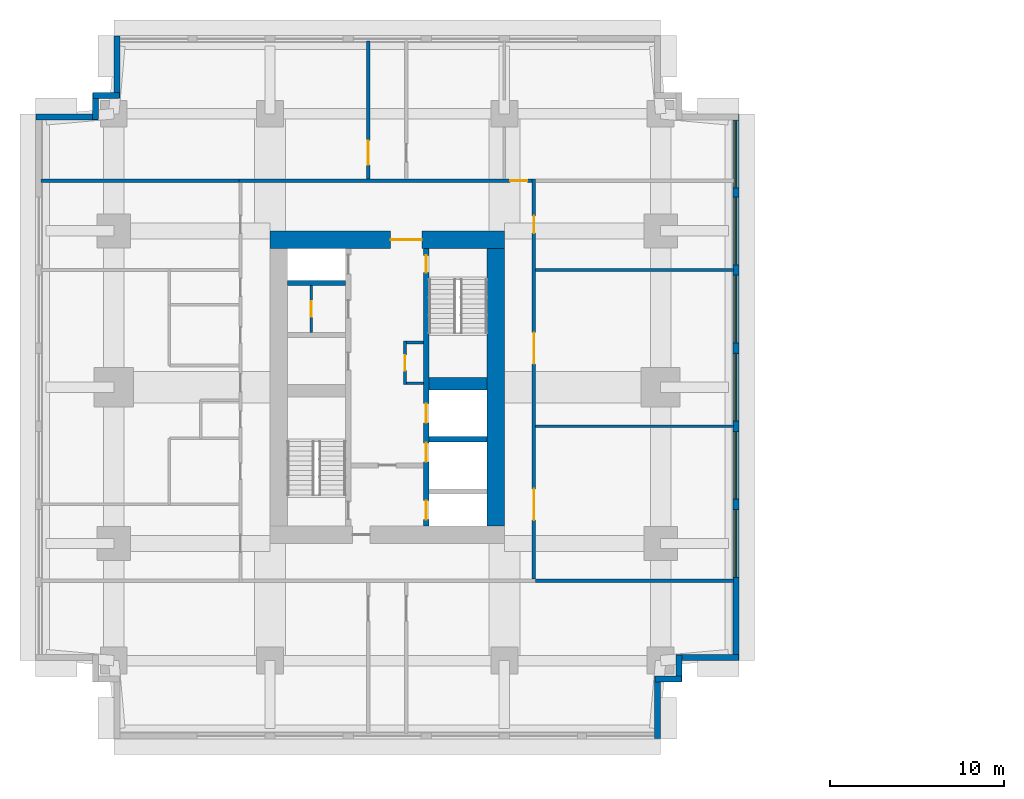
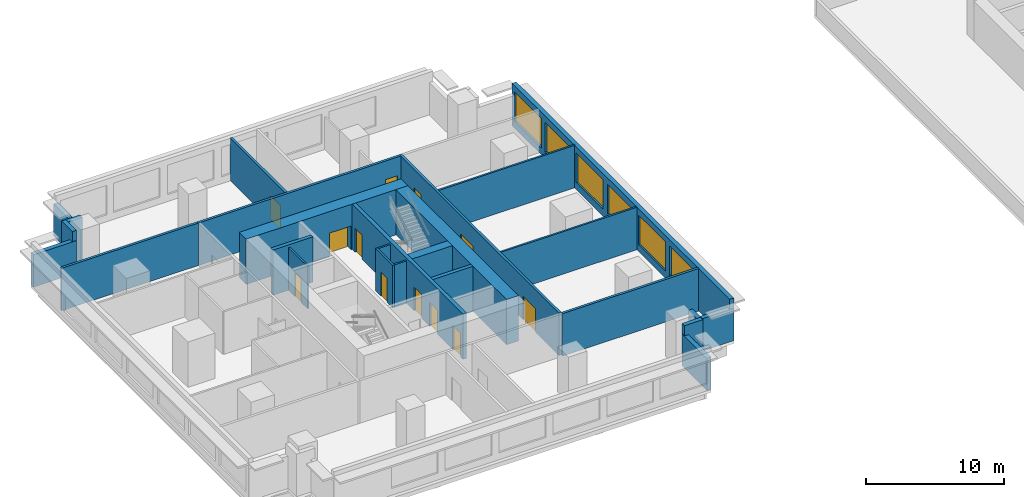
# One storey, part 4 of 7: 26 walls, 12 doors, 6 windows, 18 openings.
"""IFC4 building model written with IfcOpenShell, lengths in metres."""

from ifc_helpers import new_model, si_unit, direction, frame, frame_2d, origin, place, context, subcontext, project, spatial, rectangle, extrude, material, layer, layer_set, type_object, element, fill, save


model = new_model("IFC4")

# Units and contexts
model_context = context("Model", 3, precision=1e-05, world=origin(), true_north=direction((0.0, 1.0)))
body_context = subcontext(model_context, "Body", "Model", "MODEL_VIEW")
ifc_project = project(units=[si_unit("LENGTHUNIT", "METRE"), si_unit("AREAUNIT", "SQUARE_METRE"), si_unit("VOLUMEUNIT", "CUBIC_METRE"), si_unit("PLANEANGLEUNIT", "RADIAN"), si_unit("MASSUNIT", "GRAM", prefix="KILO")], contexts=[model_context])

# Site, building, storey
site_placement = place(None, origin())
site = spatial("IfcSite", under=ifc_project, at=site_placement, CompositionType="ELEMENT")
building_placement = place(site_placement, origin())
building = spatial("IfcBuilding", under=site, at=building_placement, Name="Namib Vertical Campus", CompositionType="ELEMENT")
storey_placement = place(building_placement, frame((0.0, 0.0, 237.0)))
storey = spatial("IfcBuildingStorey", under=building, at=storey_placement, Name="L56", CompositionType="ELEMENT", Elevation=237.0)

# Wall, openings, doors
ifc_material_1 = material(Name="Concrete C60/75", Category="concrete")
ifc_layer_1 = layer(ifc_material_1, 0.300048828125)
ifc_layer_set_1 = layer_set([ifc_layer_1], Name="Concrete C60/75")
wall_type_1 = type_object("IfcWallType", Name="Core inner wall 300", PredefinedType="SHEAR", material=ifc_layer_set_1)
wall_1_placement = place(storey_placement, frame((22.5, 12.25, 0.0), z_axis=(0.0, 0.0, 1.0), x_axis=(0.0, 1.0, 0.0)))
wall_1 = element("IfcWall", 1, at=wall_1_placement, inside=storey, type_object=wall_type_1, Name="Core inner wall A L56 W2", PredefinedType="SHEAR", context=body_context, shape_type="SweptSolid", body=[
    extrude(rectangle(XDim=16.0, YDim=0.300048828125, at=frame_2d((8.0, 0.0))), origin(), (0.0, 0.0, 1.0), 4.0),
])
opening_1_placement = place(wall_1_placement, frame((14.60009765625, 0.0, 0.0)))
opening_1 = element("IfcOpeningElement", 2, at=opening_1_placement, cuts=wall_1, Name="Opening FD1", PredefinedType="OPENING", context=body_context, shape_type="SweptSolid", body=[
    extrude(rectangle(XDim=1.0, YDim=2.10009765625, at=frame_2d((0.5, 1.050048828125))), frame((0.0, 0.159912109375, 0.0), z_axis=(0.0, -1.0, 0.0), x_axis=(1.0, 0.0, 0.0)), (0.0, 0.0, 1.0), 0.320068359375),
])
opening_2_placement = place(wall_1_placement, frame((0.375, 0.0, 0.0)))
opening_2 = element("IfcOpeningElement", 3, at=opening_2_placement, cuts=wall_1, Name="Opening LD1", PredefinedType="OPENING", context=body_context, shape_type="SweptSolid", body=[
    extrude(rectangle(XDim=1.10009765625, YDim=2.10009765625, at=frame_2d((0.550048828125, 1.050048828125))), frame((0.0, 0.159912109375, 0.0), z_axis=(0.0, -1.0, 0.0), x_axis=(1.0, 0.0, 0.0)), (0.0, 0.0, 1.0), 0.320068359375),
])
opening_3_placement = place(wall_1_placement, frame((3.699951171875, 0.0, 0.0)))
opening_3 = element("IfcOpeningElement", 4, at=opening_3_placement, cuts=wall_1, Name="Opening LD1", PredefinedType="OPENING", context=body_context, shape_type="SweptSolid", body=[
    extrude(rectangle(XDim=1.10009765625, YDim=2.10009765625, at=frame_2d((0.550048828125, 1.050048828125))), frame((0.0, 0.159912109375, 0.0), z_axis=(0.0, -1.0, 0.0), x_axis=(1.0, 0.0, 0.0)), (0.0, 0.0, 1.0), 0.320068359375),
])
opening_4_placement = place(wall_1_placement, frame((5.949951171875, 0.0, 0.0)))
opening_4 = element("IfcOpeningElement", 5, at=opening_4_placement, cuts=wall_1, Name="Opening LD1", PredefinedType="OPENING", context=body_context, shape_type="SweptSolid", body=[
    extrude(rectangle(XDim=1.10009765625, YDim=2.10009765625, at=frame_2d((0.550048828125, 1.050048828125))), frame((0.0, 0.159912109375, 0.0), z_axis=(0.0, -1.0, 0.0), x_axis=(1.0, 0.0, 0.0)), (0.0, 0.0, 1.0), 0.320068359375),
])
ifc_material_2 = material(Name="Steel fire door", Category="steel")
door_type_1 = type_object("IfcDoorType", Name="Fire door 1000x2100", OperationType="SINGLE_SWING_RIGHT", PredefinedType="DOOR", material=ifc_material_2)
door_1_placement = place(opening_1_placement, frame((1.0, 0.0, 0.0), z_axis=(0.0, 0.0, 1.0), x_axis=(-1.0, 0.0, 0.0)))
door_1 = element("IfcDoor", 6, at=door_1_placement, inside=storey, type_object=door_type_1, Name="Stair door FD1 A L56 S2", OperationType="SINGLE_SWING_LEFT", OverallHeight=2.10009765625, OverallWidth=1.0, PredefinedType="DOOR", context=body_context, shape_type="SweptSolid", body=[
    extrude(rectangle(XDim=1.0, YDim=2.10009765625, at=frame_2d((0.5, 1.050048828125))), frame((0.0, 0.02490234375, 0.0), z_axis=(0.0, -1.0, 0.0), x_axis=(1.0, 0.0, 0.0)), (0.0, 0.0, 1.0), 0.050048828125),
])
fill(opening_1, door_1)
ifc_material_3 = material(Name="Stainless steel lift door", Category="steel")
door_type_2 = type_object("IfcDoorType", Name="Lift landing door 1100x2100", OperationType="DOUBLE_DOOR_SLIDING", PredefinedType="DOOR", material=ifc_material_3)
door_2_placement = place(opening_2_placement, origin())
door_2 = element("IfcDoor", 7, at=door_2_placement, inside=storey, type_object=door_type_2, Name="Lift landing door LD1 A-FL1 L56", OperationType="DOUBLE_DOOR_SLIDING", OverallHeight=2.10009765625, OverallWidth=1.10009765625, PredefinedType="DOOR", context=body_context, shape_type="SweptSolid", body=[
    extrude(rectangle(XDim=1.10009765625, YDim=2.10009765625, at=frame_2d((0.550048828125, 1.050048828125))), frame((0.0, 0.02490234375, 0.0), z_axis=(0.0, -1.0, 0.0), x_axis=(1.0, 0.0, 0.0)), (0.0, 0.0, 1.0), 0.050048828125),
])
fill(opening_2, door_2)
door_3_placement = place(opening_3_placement, origin())
door_3 = element("IfcDoor", 8, at=door_3_placement, inside=storey, type_object=door_type_2, Name="Lift landing door LD1 A-P4 L56", OperationType="DOUBLE_DOOR_SLIDING", OverallHeight=2.10009765625, OverallWidth=1.10009765625, PredefinedType="DOOR", context=body_context, shape_type="SweptSolid", body=[
    extrude(rectangle(XDim=1.10009765625, YDim=2.10009765625, at=frame_2d((0.550048828125, 1.050048828125))), frame((0.0, 0.02490234375, 0.0), z_axis=(0.0, -1.0, 0.0), x_axis=(1.0, 0.0, 0.0)), (0.0, 0.0, 1.0), 0.050048828125),
])
fill(opening_3, door_3)
door_4_placement = place(opening_4_placement, origin())
door_4 = element("IfcDoor", 9, at=door_4_placement, inside=storey, type_object=door_type_2, Name="Lift landing door LD1 A-P5 L56", OperationType="DOUBLE_DOOR_SLIDING", OverallHeight=2.10009765625, OverallWidth=1.10009765625, PredefinedType="DOOR", context=body_context, shape_type="SweptSolid", body=[
    extrude(rectangle(XDim=1.10009765625, YDim=2.10009765625, at=frame_2d((0.550048828125, 1.050048828125))), frame((0.0, 0.02490234375, 0.0), z_axis=(0.0, -1.0, 0.0), x_axis=(1.0, 0.0, 0.0)), (0.0, 0.0, 1.0), 0.050048828125),
])
fill(opening_4, door_4)

# Walls
for number, where, z_axis, x_axis, name in (
    (10, (22.64990234375, 17.25, 0.0), (0.0, 0.0, 1.0), (1.0, 0.0, 0.0), "Core inner wall A L56 W6"),
    (11, (14.5, 26.25, 0.0), (0.0, 0.0, 1.0), (1.0, 0.0, 0.0), "Core inner wall A L56 W9"),
):
    element("IfcWall", number, at=place(storey_placement, frame(where, z_axis=z_axis, x_axis=x_axis)), inside=storey, type_object=wall_type_1, Name=name, PredefinedType="SHEAR", context=body_context, shape_type="SweptSolid", body=[
        extrude(rectangle(XDim=3.35009765625, YDim=0.300048828125, at=frame_2d((1.675048828125, 0.0))), origin(), (0.0, 0.0, 1.0), 4.0),
    ])
ifc_material_4 = material(Name="Concrete C60/75", Category="concrete")
ifc_layer_2 = layer(ifc_material_4, 0.699951171875)
ifc_layer_set_2 = layer_set([ifc_layer_2], Name="Concrete C60/75")
wall_type_2 = type_object("IfcWallType", Name="Core shear wall 700", PredefinedType="SHEAR", material=ifc_layer_set_2)
wall_2_placement = place(storey_placement, frame((22.64990234375, 20.449951171875, 0.0), z_axis=(0.0, 0.0, 1.0), x_axis=(1.0, 0.0, 0.0)))
element("IfcWall", 12, at=wall_2_placement, inside=storey, type_object=wall_type_2, Name="Core shear wall A L56 W7", PredefinedType="SHEAR", context=body_context, shape_type="SweptSolid", body=[
    extrude(rectangle(XDim=3.35009765625, YDim=0.699951171875, at=frame_2d((1.675048828125, 0.0))), origin(), (0.0, 0.0, 1.0), 4.0),
])
ifc_material_5 = material(Name="Concrete C60/75", Category="concrete")
ifc_layer_3 = layer(ifc_material_5, 1.0)
ifc_layer_set_3 = layer_set([ifc_layer_3], Name="Concrete C60/75")
wall_type_3 = type_object("IfcWallType", Name="Core wall 1000", PredefinedType="SHEAR", material=ifc_layer_set_3)
wall_3_placement = place(storey_placement, frame((26.5, 12.25, 0.0), z_axis=(0.0, 0.0, 1.0), x_axis=(0.0, 1.0, 0.0)))
element("IfcWall", 13, at=wall_3_placement, inside=storey, type_object=wall_type_3, Name="Core wall A L56 2", PredefinedType="SHEAR", context=body_context, shape_type="SweptSolid", body=[
    extrude(rectangle(XDim=16.0, YDim=1.0, at=frame_2d((8.0, 0.0))), origin(), (0.0, 0.0, 1.0), 4.0),
])

# Wall, opening, door
wall_4_placement = place(storey_placement, frame((27.0, 28.75, 0.0), z_axis=(0.0, 0.0, 1.0), x_axis=(-1.0, 0.0, 0.0)))
wall_4 = element("IfcWall", 14, at=wall_4_placement, inside=storey, type_object=wall_type_3, Name="Core wall A L56 3", PredefinedType="SHEAR", context=body_context, shape_type="SweptSolid", body=[
    extrude(rectangle(XDim=13.5, YDim=1.0, at=frame_2d((6.75, 0.0))), origin(), (0.0, 0.0, 1.0), 4.0),
])
opening_5_placement = place(wall_4_placement, frame((4.75, 0.0, 0.0)))
opening_5 = element("IfcOpeningElement", 15, at=opening_5_placement, cuts=wall_4, Name="Opening FD2", PredefinedType="OPENING", context=body_context, shape_type="SweptSolid", body=[
    extrude(rectangle(XDim=1.800048828125, YDim=2.10009765625, at=frame_2d((0.89990234375, 1.050048828125))), frame((0.0, 0.510009765625, 0.0), z_axis=(0.0, -1.0, 0.0), x_axis=(1.0, 0.0, 0.0)), (0.0, 0.0, 1.0), 1.02001953125),
])
ifc_material_6 = material(Name="Steel fire door", Category="steel")
door_type_3 = type_object("IfcDoorType", Name="Fire door double 1800x2100", OperationType="DOUBLE_DOOR_SINGLE_SWING", PredefinedType="DOOR", material=ifc_material_6)
door_5_placement = place(opening_5_placement, origin())
door_5 = element("IfcDoor", 16, at=door_5_placement, inside=storey, type_object=door_type_3, Name="Lift lobby door FD2 A L56", OperationType="DOUBLE_DOOR_SINGLE_SWING", OverallHeight=2.10009765625, OverallWidth=1.800048828125, PredefinedType="DOOR", context=body_context, shape_type="SweptSolid", body=[
    extrude(rectangle(XDim=1.800048828125, YDim=2.10009765625, at=frame_2d((0.89990234375, 1.050048828125))), frame((0.0, 0.02490234375, 0.0), z_axis=(0.0, -1.0, 0.0), x_axis=(1.0, 0.0, 0.0)), (0.0, 0.0, 1.0), 0.050048828125),
])
fill(opening_5, door_5)

# Wall, openings, doors
ifc_material_7 = material(Name="Concrete masonry", Category="masonry")
ifc_layer_4 = layer(ifc_material_7, 0.199951171875)
ifc_layer_set_4 = layer_set([ifc_layer_4], Name="Corridor wall 200")
wall_type_4 = type_object("IfcWallType", Name="Corridor wall 200", PredefinedType="SOLIDWALL", material=ifc_layer_set_4)
wall_5_placement = place(storey_placement, frame((28.699951171875, 9.199951171875, 0.0), z_axis=(0.0, 0.0, 1.0), x_axis=(0.0, 1.0, 0.0)))
wall_5 = element("IfcWall", 17, at=wall_5_placement, inside=storey, type_object=wall_type_4, Name="Corridor wall A L56 CE", PredefinedType="SOLIDWALL", context=body_context, shape_type="SweptSolid", body=[
    extrude(rectangle(XDim=23.050048828125, YDim=0.199951171875, at=frame_2d((11.52490234375, 0.0))), origin(), (0.0, 0.0, 1.0), 3.75),
])
opening_6_placement = place(wall_5_placement, frame((3.39990234375, 0.0, 0.0)))
opening_6 = element("IfcOpeningElement", 18, at=opening_6_placement, cuts=wall_5, Name="Opening CD2", PredefinedType="OPENING", context=body_context, shape_type="SweptSolid", body=[
    extrude(rectangle(XDim=1.800048828125, YDim=2.10009765625, at=frame_2d((0.89990234375, 1.050048828125))), frame((0.0, 0.10986328125, 0.0), z_axis=(0.0, -1.0, 0.0), x_axis=(1.0, 0.0, 0.0)), (0.0, 0.0, 1.0), 0.219970703125),
])
opening_7_placement = place(wall_5_placement, frame((12.39990234375, 0.0, 0.0)))
opening_7 = element("IfcOpeningElement", 19, at=opening_7_placement, cuts=wall_5, Name="Opening CD2", PredefinedType="OPENING", context=body_context, shape_type="SweptSolid", body=[
    extrude(rectangle(XDim=1.800048828125, YDim=2.10009765625, at=frame_2d((0.89990234375, 1.050048828125))), frame((0.0, 0.10986328125, 0.0), z_axis=(0.0, -1.0, 0.0), x_axis=(1.0, 0.0, 0.0)), (0.0, 0.0, 1.0), 0.219970703125),
])
opening_8_placement = place(wall_5_placement, frame((19.925048828125, 0.0, 0.0)))
opening_8 = element("IfcOpeningElement", 20, at=opening_8_placement, cuts=wall_5, Name="Opening CD1", PredefinedType="OPENING", context=body_context, shape_type="SweptSolid", body=[
    extrude(rectangle(XDim=1.0, YDim=2.10009765625, at=frame_2d((0.5, 1.050048828125))), frame((0.0, 0.10986328125, 0.0), z_axis=(0.0, -1.0, 0.0), x_axis=(1.0, 0.0, 0.0)), (0.0, 0.0, 1.0), 0.219970703125),
])
ifc_material_8 = material(Name="Timber fire door leaf", Category="wood")
door_type_4 = type_object("IfcDoorType", Name="Corridor door 1000x2100 20 min", OperationType="SINGLE_SWING_LEFT", PredefinedType="DOOR", material=ifc_material_8)
door_6_placement = place(opening_8_placement, frame((1.0, 0.0, 0.0), z_axis=(0.0, 0.0, 1.0), x_axis=(-1.0, 0.0, 0.0)))
door_6 = element("IfcDoor", 21, at=door_6_placement, inside=storey, type_object=door_type_4, Name="Door CD1 A56-05", OperationType="SINGLE_SWING_RIGHT", OverallHeight=2.10009765625, OverallWidth=1.0, PredefinedType="DOOR", context=body_context, shape_type="SweptSolid", body=[
    extrude(rectangle(XDim=1.0, YDim=2.10009765625, at=frame_2d((0.5, 1.050048828125))), frame((0.0, 0.02490234375, 0.0), z_axis=(0.0, -1.0, 0.0), x_axis=(1.0, 0.0, 0.0)), (0.0, 0.0, 1.0), 0.050048828125),
])
fill(opening_8, door_6)
ifc_material_9 = material(Name="Timber fire door leaf", Category="wood")
door_type_5 = type_object("IfcDoorType", Name="Corridor door double 1800x2100 20 min", OperationType="DOUBLE_DOOR_SINGLE_SWING", PredefinedType="DOOR", material=ifc_material_9)
door_7_placement = place(opening_6_placement, frame((1.800048828125, 0.0, 0.0), z_axis=(0.0, 0.0, 1.0), x_axis=(-1.0, 0.0, 0.0)))
door_7 = element("IfcDoor", 22, at=door_7_placement, inside=storey, type_object=door_type_5, Name="Door CD2 A56-03", OperationType="DOUBLE_DOOR_SINGLE_SWING", OverallHeight=2.10009765625, OverallWidth=1.800048828125, PredefinedType="DOOR", context=body_context, shape_type="SweptSolid", body=[
    extrude(rectangle(XDim=1.800048828125, YDim=2.10009765625, at=frame_2d((0.89990234375, 1.050048828125))), frame((0.0, 0.02490234375, 0.0), z_axis=(0.0, -1.0, 0.0), x_axis=(1.0, 0.0, 0.0)), (0.0, 0.0, 1.0), 0.050048828125),
])
fill(opening_6, door_7)
door_8_placement = place(opening_7_placement, frame((1.800048828125, 0.0, 0.0), z_axis=(0.0, 0.0, 1.0), x_axis=(-1.0, 0.0, 0.0)))
door_8 = element("IfcDoor", 23, at=door_8_placement, inside=storey, type_object=door_type_5, Name="Door CD2 A56-04", OperationType="DOUBLE_DOOR_SINGLE_SWING", OverallHeight=2.10009765625, OverallWidth=1.800048828125, PredefinedType="DOOR", context=body_context, shape_type="SweptSolid", body=[
    extrude(rectangle(XDim=1.800048828125, YDim=2.10009765625, at=frame_2d((0.89990234375, 1.050048828125))), frame((0.0, 0.02490234375, 0.0), z_axis=(0.0, -1.0, 0.0), x_axis=(1.0, 0.0, 0.0)), (0.0, 0.0, 1.0), 0.050048828125),
])
fill(opening_7, door_8)

# Wall, opening, door
wall_6_placement = place(storey_placement, frame((28.60009765625, 32.14990234375, 0.0), z_axis=(0.0, 0.0, 1.0), x_axis=(-1.0, 0.0, 0.0)))
wall_6 = element("IfcWall", 24, at=wall_6_placement, inside=storey, type_object=wall_type_4, Name="Corridor wall A L56 CN", PredefinedType="SOLIDWALL", context=body_context, shape_type="SweptSolid", body=[
    extrude(rectangle(XDim=16.900146484375, YDim=0.199951171875, at=frame_2d((8.4501953125, 0.0))), origin(), (0.0, 0.0, 1.0), 3.75),
])
opening_9_placement = place(wall_6_placement, frame((0.27490234375, 0.0, 0.0)))
opening_9 = element("IfcOpeningElement", 25, at=opening_9_placement, cuts=wall_6, Name="Opening CD1", PredefinedType="OPENING", context=body_context, shape_type="SweptSolid", body=[
    extrude(rectangle(XDim=1.0, YDim=2.10009765625, at=frame_2d((0.5, 1.050048828125))), frame((0.0, 0.10986328125, 0.0), z_axis=(0.0, -1.0, 0.0), x_axis=(1.0, 0.0, 0.0)), (0.0, 0.0, 1.0), 0.219970703125),
])
door_9_placement = place(opening_9_placement, frame((1.0, 0.0, 0.0), z_axis=(0.0, 0.0, 1.0), x_axis=(-1.0, 0.0, 0.0)))
door_9 = element("IfcDoor", 26, at=door_9_placement, inside=storey, type_object=door_type_4, Name="Door CD1 A56-08", OperationType="SINGLE_SWING_LEFT", OverallHeight=2.10009765625, OverallWidth=1.0, PredefinedType="DOOR", context=body_context, shape_type="SweptSolid", body=[
    extrude(rectangle(XDim=1.0, YDim=2.10009765625, at=frame_2d((0.5, 1.050048828125))), frame((0.0, 0.02490234375, 0.0), z_axis=(0.0, -1.0, 0.0), x_axis=(1.0, 0.0, 0.0)), (0.0, 0.0, 1.0), 0.050048828125),
])
fill(opening_9, door_9)

wall_7_placement = place(storey_placement, frame((19.14990234375, 32.25, 0.0), z_axis=(0.0, 0.0, 1.0), x_axis=(0.0, 1.0, 0.0)))
wall_7 = element("IfcWall", 27, at=wall_7_placement, inside=storey, type_object=wall_type_4, Name="Corridor wall A L56 SPN1", PredefinedType="SOLIDWALL", context=body_context, shape_type="SweptSolid", body=[
    extrude(rectangle(XDim=7.949951171875, YDim=0.199951171875, at=frame_2d((3.97509765625, 0.0))), origin(), (0.0, 0.0, 1.0), 3.75),
])
opening_10_placement = place(wall_7_placement, frame((0.800048828125, 0.0, 0.0)))
opening_10 = element("IfcOpeningElement", 28, at=opening_10_placement, cuts=wall_7, Name="Opening LB1", PredefinedType="OPENING", context=body_context, shape_type="SweptSolid", body=[
    extrude(rectangle(XDim=1.39990234375, YDim=2.10009765625, at=frame_2d((0.699951171875, 1.050048828125))), frame((0.0, 0.10986328125, 0.0), z_axis=(0.0, -1.0, 0.0), x_axis=(1.0, 0.0, 0.0)), (0.0, 0.0, 1.0), 0.219970703125),
])
ifc_material_10 = material(Name="Timber fire door leaf", Category="wood")
door_type_6 = type_object("IfcDoorType", Name="Laboratory door 1400x2100 leaf and a half", OperationType="DOUBLE_DOOR_SINGLE_SWING", PredefinedType="DOOR", material=ifc_material_10)
door_10_placement = place(opening_10_placement, origin())
door_10 = element("IfcDoor", 29, at=door_10_placement, inside=storey, type_object=door_type_6, Name="Door LB1 A56-06", OperationType="DOUBLE_DOOR_SINGLE_SWING", OverallHeight=2.10009765625, OverallWidth=1.39990234375, PredefinedType="DOOR", context=body_context, shape_type="SweptSolid", body=[
    extrude(rectangle(XDim=1.39990234375, YDim=2.10009765625, at=frame_2d((0.699951171875, 1.050048828125))), frame((0.0, 0.02490234375, 0.0), z_axis=(0.0, -1.0, 0.0), x_axis=(1.0, 0.0, 0.0)), (0.0, 0.0, 1.0), 0.050048828125),
])
fill(opening_10, door_10)

# Walls
for number, where, z_axis, x_axis, name in (
    (30, (28.800048828125, 9.10009765625, 0.0), (0.0, 0.0, 1.0), (1.0, 0.0, 0.0), "Partition A L56 BSE"),
    (31, (0.300048828125, 32.14990234375, 0.0), (0.0, 0.0, 1.0), (1.0, 0.0, 0.0), "Partition A L56 BNW"),
):
    element("IfcWall", number, at=place(storey_placement, frame(where, z_axis=z_axis, x_axis=x_axis)), inside=storey, type_object=wall_type_4, Name=name, PredefinedType="SOLIDWALL", context=body_context, shape_type="SweptSolid", body=[
        extrude(rectangle(XDim=11.39990234375, YDim=0.199951171875, at=frame_2d((5.699951171875, 0.0))), origin(), (0.0, 0.0, 1.0), 3.75),
    ])
ifc_material_11 = material(Name="Concrete C40/50", Category="concrete")
ifc_layer_5 = layer(ifc_material_11, 0.35009765625)
ifc_layer_set_5 = layer_set([ifc_layer_5], Name="Concrete C40/50")
wall_type_5 = type_object("IfcWallType", Name="External wall 350 bush-hammered concrete", PredefinedType="STANDARD", material=ifc_layer_set_5)
wall_8_placement = place(storey_placement, frame((35.824951171875, 0.02001953125, 0.0), z_axis=(0.0, 0.0, 1.0), x_axis=(0.0, 1.0, 0.0)))
element("IfcWall", 32, at=wall_8_placement, inside=storey, type_object=wall_type_5, Name="External wall L56 F02", PredefinedType="STANDARD", context=body_context, shape_type="SweptSolid", body=[
    extrude(rectangle(XDim=3.5849609375, YDim=0.35009765625, at=frame_2d((1.79248046875, 0.0))), origin(), (0.0, 0.0, 1.0), 2.85009765625),
])
for number, where, z_axis, x_axis, name in (
    (33, (35.669921875, 3.449951171875, 0.0), (0.0, 0.0, 1.0), (1.0, 0.0, 0.0), "External wall L56 F03"),
    (34, (37.050048828125, 3.294921875, 0.0), (0.0, 0.0, 1.0), (0.0, 1.0, 0.0), "External wall L56 F04"),
):
    element("IfcWall", number, at=place(storey_placement, frame(where, z_axis=z_axis, x_axis=x_axis)), inside=storey, type_object=wall_type_5, Name=name, PredefinedType="STANDARD", context=body_context, shape_type="SweptSolid", body=[
        extrude(rectangle(XDim=1.53515625, YDim=0.35009765625, at=frame_2d((0.767578125, 0.0))), origin(), (0.0, 0.0, 1.0), 3.75),
    ])
wall_9_placement = place(storey_placement, frame((36.89501953125, 4.675048828125, 0.0), z_axis=(0.0, 0.0, 1.0), x_axis=(1.0, 0.0, 0.0)))
element("IfcWall", 35, at=wall_9_placement, inside=storey, type_object=wall_type_5, Name="External wall L56 F05", PredefinedType="STANDARD", context=body_context, shape_type="SweptSolid", body=[
    extrude(rectangle(XDim=3.5849609375, YDim=0.35009765625, at=frame_2d((1.79248046875, 0.0))), origin(), (0.0, 0.0, 1.0), 2.85009765625),
])

# Wall, openings, windows
wall_10_placement = place(storey_placement, frame((40.324951171875, 4.52001953125, 0.0), z_axis=(0.0, 0.0, 1.0), x_axis=(0.0, 1.0, 0.0)))
wall_10 = element("IfcWall", 36, at=wall_10_placement, inside=storey, type_object=wall_type_5, Name="External wall L56 F06", PredefinedType="STANDARD", context=body_context, shape_type="SweptSolid", body=[
    extrude(rectangle(XDim=31.4599609375, YDim=0.35009765625, at=frame_2d((15.72998046875, 0.0))), origin(), (0.0, 0.0, 1.0), 3.75),
])
opening_11_placement = place(wall_10_placement, frame((4.780029296875, 0.0, 0.60009765625)))
opening_11 = element("IfcOpeningElement", 37, at=opening_11_placement, cuts=wall_10, Name="Opening W2", PredefinedType="OPENING", context=body_context, shape_type="SweptSolid", body=[
    extrude(rectangle(XDim=3.89990234375, YDim=2.60009765625, at=frame_2d((1.949951171875, 1.300048828125))), frame((0.0, 0.18505859375, 0.0), z_axis=(0.0, -1.0, 0.0), x_axis=(1.0, 0.0, 0.0)), (0.0, 0.0, 1.0), 0.3701171875),
])
opening_12_placement = place(wall_10_placement, frame((9.280029296875, 0.0, 0.60009765625)))
opening_12 = element("IfcOpeningElement", 38, at=opening_12_placement, cuts=wall_10, Name="Opening W2", PredefinedType="OPENING", context=body_context, shape_type="SweptSolid", body=[
    extrude(rectangle(XDim=3.89990234375, YDim=2.60009765625, at=frame_2d((1.949951171875, 1.300048828125))), frame((0.0, 0.18505859375, 0.0), z_axis=(0.0, -1.0, 0.0), x_axis=(1.0, 0.0, 0.0)), (0.0, 0.0, 1.0), 0.3701171875),
])
opening_13_placement = place(wall_10_placement, frame((13.780029296875, 0.0, 0.60009765625)))
opening_13 = element("IfcOpeningElement", 39, at=opening_13_placement, cuts=wall_10, Name="Opening W2", PredefinedType="OPENING", context=body_context, shape_type="SweptSolid", body=[
    extrude(rectangle(XDim=3.89990234375, YDim=2.60009765625, at=frame_2d((1.949951171875, 1.300048828125))), frame((0.0, 0.18505859375, 0.0), z_axis=(0.0, -1.0, 0.0), x_axis=(1.0, 0.0, 0.0)), (0.0, 0.0, 1.0), 0.3701171875),
])
opening_14_placement = place(wall_10_placement, frame((18.280029296875, 0.0, 0.60009765625)))
opening_14 = element("IfcOpeningElement", 40, at=opening_14_placement, cuts=wall_10, Name="Opening W2", PredefinedType="OPENING", context=body_context, shape_type="SweptSolid", body=[
    extrude(rectangle(XDim=3.89990234375, YDim=2.60009765625, at=frame_2d((1.949951171875, 1.300048828125))), frame((0.0, 0.18505859375, 0.0), z_axis=(0.0, -1.0, 0.0), x_axis=(1.0, 0.0, 0.0)), (0.0, 0.0, 1.0), 0.3701171875),
])
opening_15_placement = place(wall_10_placement, frame((22.780029296875, 0.0, 0.60009765625)))
opening_15 = element("IfcOpeningElement", 41, at=opening_15_placement, cuts=wall_10, Name="Opening W2", PredefinedType="OPENING", context=body_context, shape_type="SweptSolid", body=[
    extrude(rectangle(XDim=3.89990234375, YDim=2.60009765625, at=frame_2d((1.949951171875, 1.300048828125))), frame((0.0, 0.18505859375, 0.0), z_axis=(0.0, -1.0, 0.0), x_axis=(1.0, 0.0, 0.0)), (0.0, 0.0, 1.0), 0.3701171875),
])
opening_16_placement = place(wall_10_placement, frame((27.2099609375, 0.0, 0.60009765625)))
opening_16 = element("IfcOpeningElement", 42, at=opening_16_placement, cuts=wall_10, Name="Opening W2", PredefinedType="OPENING", context=body_context, shape_type="SweptSolid", body=[
    extrude(rectangle(XDim=3.89990234375, YDim=2.60009765625, at=frame_2d((1.949951171875, 1.300048828125))), frame((0.0, 0.18505859375, 0.0), z_axis=(0.0, -1.0, 0.0), x_axis=(1.0, 0.0, 0.0)), (0.0, 0.0, 1.0), 0.3701171875),
])
ifc_material_12 = material(Name="Dark tinted glass in black aluminium frame", Category="aluminium")
window_type = type_object("IfcWindowType", Name="Ribbon window 3900x2600", PartitioningType="SINGLE_PANEL", PredefinedType="WINDOW", material=ifc_material_12)
window_1_placement = place(opening_11_placement, origin())
window_1 = element("IfcWindow", 43, at=window_1_placement, inside=storey, type_object=window_type, Name="Window W2 L56 F06-2", OverallHeight=2.60009765625, OverallWidth=3.89990234375, PartitioningType="SINGLE_PANEL", PredefinedType="WINDOW", context=body_context, shape_type="SweptSolid", body=[
    extrude(rectangle(XDim=3.89990234375, YDim=2.60009765625, at=frame_2d((1.949951171875, 1.300048828125))), frame((0.0, 0.030029296875, 0.0), z_axis=(0.0, -1.0, 0.0), x_axis=(1.0, 0.0, 0.0)), (0.0, 0.0, 1.0), 0.06005859375),
])
fill(opening_11, window_1)
window_2_placement = place(opening_12_placement, origin())
window_2 = element("IfcWindow", 44, at=window_2_placement, inside=storey, type_object=window_type, Name="Window W2 L56 F06-3", OverallHeight=2.60009765625, OverallWidth=3.89990234375, PartitioningType="SINGLE_PANEL", PredefinedType="WINDOW", context=body_context, shape_type="SweptSolid", body=[
    extrude(rectangle(XDim=3.89990234375, YDim=2.60009765625, at=frame_2d((1.949951171875, 1.300048828125))), frame((0.0, 0.030029296875, 0.0), z_axis=(0.0, -1.0, 0.0), x_axis=(1.0, 0.0, 0.0)), (0.0, 0.0, 1.0), 0.06005859375),
])
fill(opening_12, window_2)
window_3_placement = place(opening_13_placement, origin())
window_3 = element("IfcWindow", 45, at=window_3_placement, inside=storey, type_object=window_type, Name="Window W2 L56 F06-4", OverallHeight=2.60009765625, OverallWidth=3.89990234375, PartitioningType="SINGLE_PANEL", PredefinedType="WINDOW", context=body_context, shape_type="SweptSolid", body=[
    extrude(rectangle(XDim=3.89990234375, YDim=2.60009765625, at=frame_2d((1.949951171875, 1.300048828125))), frame((0.0, 0.030029296875, 0.0), z_axis=(0.0, -1.0, 0.0), x_axis=(1.0, 0.0, 0.0)), (0.0, 0.0, 1.0), 0.06005859375),
])
fill(opening_13, window_3)
window_4_placement = place(opening_14_placement, origin())
window_4 = element("IfcWindow", 46, at=window_4_placement, inside=storey, type_object=window_type, Name="Window W2 L56 F06-5", OverallHeight=2.60009765625, OverallWidth=3.89990234375, PartitioningType="SINGLE_PANEL", PredefinedType="WINDOW", context=body_context, shape_type="SweptSolid", body=[
    extrude(rectangle(XDim=3.89990234375, YDim=2.60009765625, at=frame_2d((1.949951171875, 1.300048828125))), frame((0.0, 0.030029296875, 0.0), z_axis=(0.0, -1.0, 0.0), x_axis=(1.0, 0.0, 0.0)), (0.0, 0.0, 1.0), 0.06005859375),
])
fill(opening_14, window_4)
window_5_placement = place(opening_15_placement, origin())
window_5 = element("IfcWindow", 47, at=window_5_placement, inside=storey, type_object=window_type, Name="Window W2 L56 F06-6", OverallHeight=2.60009765625, OverallWidth=3.89990234375, PartitioningType="SINGLE_PANEL", PredefinedType="WINDOW", context=body_context, shape_type="SweptSolid", body=[
    extrude(rectangle(XDim=3.89990234375, YDim=2.60009765625, at=frame_2d((1.949951171875, 1.300048828125))), frame((0.0, 0.030029296875, 0.0), z_axis=(0.0, -1.0, 0.0), x_axis=(1.0, 0.0, 0.0)), (0.0, 0.0, 1.0), 0.06005859375),
])
fill(opening_15, window_5)
window_6_placement = place(opening_16_placement, origin())
window_6 = element("IfcWindow", 48, at=window_6_placement, inside=storey, type_object=window_type, Name="Window W2 L56 F06-7", OverallHeight=2.60009765625, OverallWidth=3.89990234375, PartitioningType="SINGLE_PANEL", PredefinedType="WINDOW", context=body_context, shape_type="SweptSolid", body=[
    extrude(rectangle(XDim=3.89990234375, YDim=2.60009765625, at=frame_2d((1.949951171875, 1.300048828125))), frame((0.0, 0.030029296875, 0.0), z_axis=(0.0, -1.0, 0.0), x_axis=(1.0, 0.0, 0.0)), (0.0, 0.0, 1.0), 0.06005859375),
])
fill(opening_16, window_6)

# Walls
wall_11_placement = place(storey_placement, frame((4.675048828125, 40.47998046875, 0.0), z_axis=(0.0, 0.0, 1.0), x_axis=(0.0, -1.0, 0.0)))
element("IfcWall", 49, at=wall_11_placement, inside=storey, type_object=wall_type_5, Name="External wall L56 F12", PredefinedType="STANDARD", context=body_context, shape_type="SweptSolid", body=[
    extrude(rectangle(XDim=3.5849609375, YDim=0.35009765625, at=frame_2d((1.79248046875, 0.0))), origin(), (0.0, 0.0, 1.0), 2.85009765625),
])
for number, where, z_axis, x_axis, name in (
    (50, (4.830078125, 37.050048828125, 0.0), (0.0, 0.0, 1.0), (-1.0, 0.0, 0.0), "External wall L56 F13"),
    (51, (3.449951171875, 37.205078125, 0.0), (0.0, 0.0, 1.0), (0.0, -1.0, 0.0), "External wall L56 F14"),
):
    element("IfcWall", number, at=place(storey_placement, frame(where, z_axis=z_axis, x_axis=x_axis)), inside=storey, type_object=wall_type_5, Name=name, PredefinedType="STANDARD", context=body_context, shape_type="SweptSolid", body=[
        extrude(rectangle(XDim=1.53515625, YDim=0.35009765625, at=frame_2d((0.767578125, 0.0))), origin(), (0.0, 0.0, 1.0), 3.75),
    ])
wall_12_placement = place(storey_placement, frame((3.60498046875, 35.824951171875, 0.0), z_axis=(0.0, 0.0, 1.0), x_axis=(-1.0, 0.0, 0.0)))
element("IfcWall", 52, at=wall_12_placement, inside=storey, type_object=wall_type_5, Name="External wall L56 F15", PredefinedType="STANDARD", context=body_context, shape_type="SweptSolid", body=[
    extrude(rectangle(XDim=3.5849609375, YDim=0.35009765625, at=frame_2d((1.79248046875, 0.0))), origin(), (0.0, 0.0, 1.0), 2.85009765625),
])

# Wall, opening, door
ifc_material_13 = material(Name="Gypsum board on steel studs", Category="steel")
ifc_layer_6 = layer(ifc_material_13, 0.14990234375)
ifc_layer_set_6 = layer_set([ifc_layer_6], Name="Gypsum board on steel studs")
wall_type_6 = type_object("IfcWallType", Name="Partition 150", PredefinedType="PARTITIONING", material=ifc_layer_set_6)
wall_13_placement = place(storey_placement, frame((21.27490234375, 20.39990234375, 0.0), z_axis=(0.0, 0.0, 1.0), x_axis=(0.0, 1.0, 0.0)))
wall_13 = element("IfcWall", 53, at=wall_13_placement, inside=storey, type_object=wall_type_6, Name="Partition A L56 Cleaners' store front", PredefinedType="PARTITIONING", context=body_context, shape_type="SweptSolid", body=[
    extrude(rectangle(XDim=2.5, YDim=0.14990234375, at=frame_2d((1.25, 0.0))), origin(), (0.0, 0.0, 1.0), 3.75),
])
opening_17_placement = place(wall_13_placement, frame((0.800048828125, 0.0, 0.0)))
opening_17 = element("IfcOpeningElement", 54, at=opening_17_placement, cuts=wall_13, Name="Opening D3", PredefinedType="OPENING", context=body_context, shape_type="SweptSolid", body=[
    extrude(rectangle(XDim=0.89990234375, YDim=2.10009765625, at=frame_2d((0.449951171875, 1.050048828125))), frame((0.0, 0.0849609375, 0.0), z_axis=(0.0, -1.0, 0.0), x_axis=(1.0, 0.0, 0.0)), (0.0, 0.0, 1.0), 0.169921875),
])
ifc_material_14 = material(Name="Timber door leaf", Category="wood")
door_type_7 = type_object("IfcDoorType", Name="Toilet door 900x2100", OperationType="SINGLE_SWING_LEFT", PredefinedType="DOOR", material=ifc_material_14)
door_11_placement = place(opening_17_placement, frame((0.89990234375, 0.0, 0.0), z_axis=(0.0, 0.0, 1.0), x_axis=(-1.0, 0.0, 0.0)))
door_11 = element("IfcDoor", 55, at=door_11_placement, inside=storey, type_object=door_type_7, Name="Door D3 Cleaners' store A L56", OperationType="SINGLE_SWING_RIGHT", OverallHeight=2.10009765625, OverallWidth=0.89990234375, PredefinedType="DOOR", context=body_context, shape_type="SweptSolid", body=[
    extrude(rectangle(XDim=0.89990234375, YDim=2.10009765625, at=frame_2d((0.449951171875, 1.050048828125))), frame((0.0, 0.02490234375, 0.0), z_axis=(0.0, -1.0, 0.0), x_axis=(1.0, 0.0, 0.0)), (0.0, 0.0, 1.0), 0.050048828125),
])
fill(opening_17, door_11)

# Walls
for number, where, z_axis, x_axis, name in (
    (56, (21.35009765625, 20.47509765625, 0.0), (0.0, 0.0, 1.0), (1.0, 0.0, 0.0), "Partition A L56 Cleaners' store end 1"),
    (57, (21.35009765625, 22.824951171875, 0.0), (0.0, 0.0, 1.0), (1.0, 0.0, 0.0), "Partition A L56 Cleaners' store end 2"),
):
    element("IfcWall", number, at=place(storey_placement, frame(where, z_axis=z_axis, x_axis=x_axis)), inside=storey, type_object=wall_type_6, Name=name, PredefinedType="PARTITIONING", context=body_context, shape_type="SweptSolid", body=[
        extrude(rectangle(XDim=1.0, YDim=0.14990234375, at=frame_2d((0.5, 0.0))), origin(), (0.0, 0.0, 1.0), 3.75),
    ])

# Wall, opening, door
wall_14_placement = place(storey_placement, frame((15.875, 23.39990234375, 0.0), z_axis=(0.0, 0.0, 1.0), x_axis=(0.0, 1.0, 0.0)))
wall_14 = element("IfcWall", 58, at=wall_14_placement, inside=storey, type_object=wall_type_6, Name="Partition A L56 Records store P2 back", PredefinedType="PARTITIONING", context=body_context, shape_type="SweptSolid", body=[
    extrude(rectangle(XDim=2.7001953125, YDim=0.14990234375, at=frame_2d((1.35009765625, 0.0))), origin(), (0.0, 0.0, 1.0), 3.75),
])
opening_18_placement = place(wall_14_placement, frame((0.89990234375, 0.0, 0.0)))
opening_18 = element("IfcOpeningElement", 59, at=opening_18_placement, cuts=wall_14, Name="Opening D3", PredefinedType="OPENING", context=body_context, shape_type="SweptSolid", body=[
    extrude(rectangle(XDim=0.89990234375, YDim=2.10009765625, at=frame_2d((0.449951171875, 1.050048828125))), frame((0.0, 0.0849609375, 0.0), z_axis=(0.0, -1.0, 0.0), x_axis=(1.0, 0.0, 0.0)), (0.0, 0.0, 1.0), 0.169921875),
])
door_12_placement = place(opening_18_placement, origin())
door_12 = element("IfcDoor", 60, at=door_12_placement, inside=storey, type_object=door_type_7, Name="Door D3 Store A L56 P2", OperationType="SINGLE_SWING_LEFT", OverallHeight=2.10009765625, OverallWidth=0.89990234375, PredefinedType="DOOR", context=body_context, shape_type="SweptSolid", body=[
    extrude(rectangle(XDim=0.89990234375, YDim=2.10009765625, at=frame_2d((0.449951171875, 1.050048828125))), frame((0.0, 0.02490234375, 0.0), z_axis=(0.0, -1.0, 0.0), x_axis=(1.0, 0.0, 0.0)), (0.0, 0.0, 1.0), 0.050048828125),
])
fill(opening_18, door_12)

# Walls
for number, where, z_axis, x_axis, name in (
    (61, (28.800048828125, 18.0, 0.0), (0.0, 0.0, 1.0), (1.0, 0.0, 0.0), "Partition A L56 PE1"),
    (62, (28.800048828125, 27.0, 0.0), (0.0, 0.0, 1.0), (1.0, 0.0, 0.0), "Partition A L56 PE2"),
):
    element("IfcWall", number, at=place(storey_placement, frame(where, z_axis=z_axis, x_axis=x_axis)), inside=storey, type_object=wall_type_6, Name=name, PredefinedType="PARTITIONING", context=body_context, shape_type="SweptSolid", body=[
        extrude(rectangle(XDim=11.39990234375, YDim=0.14990234375, at=frame_2d((5.699951171875, 0.0))), origin(), (0.0, 0.0, 1.0), 3.75),
    ])

save(model, "model.ifc")
